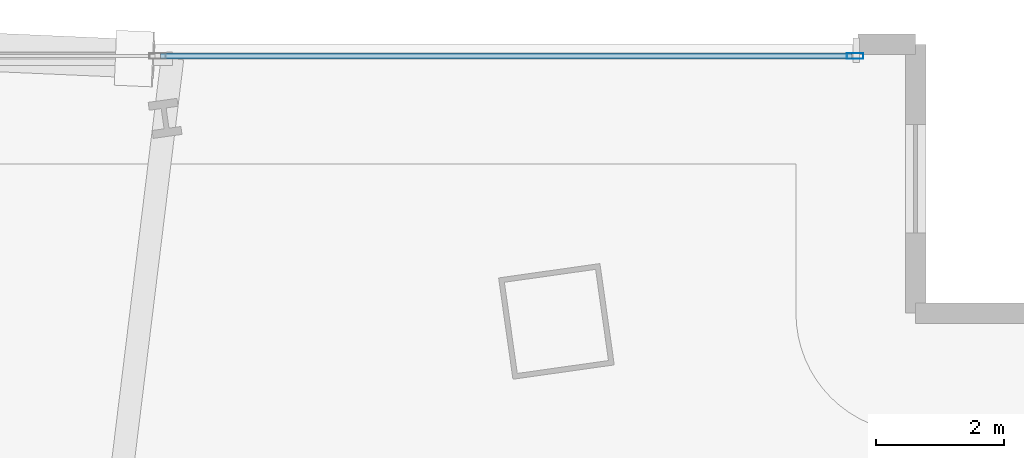
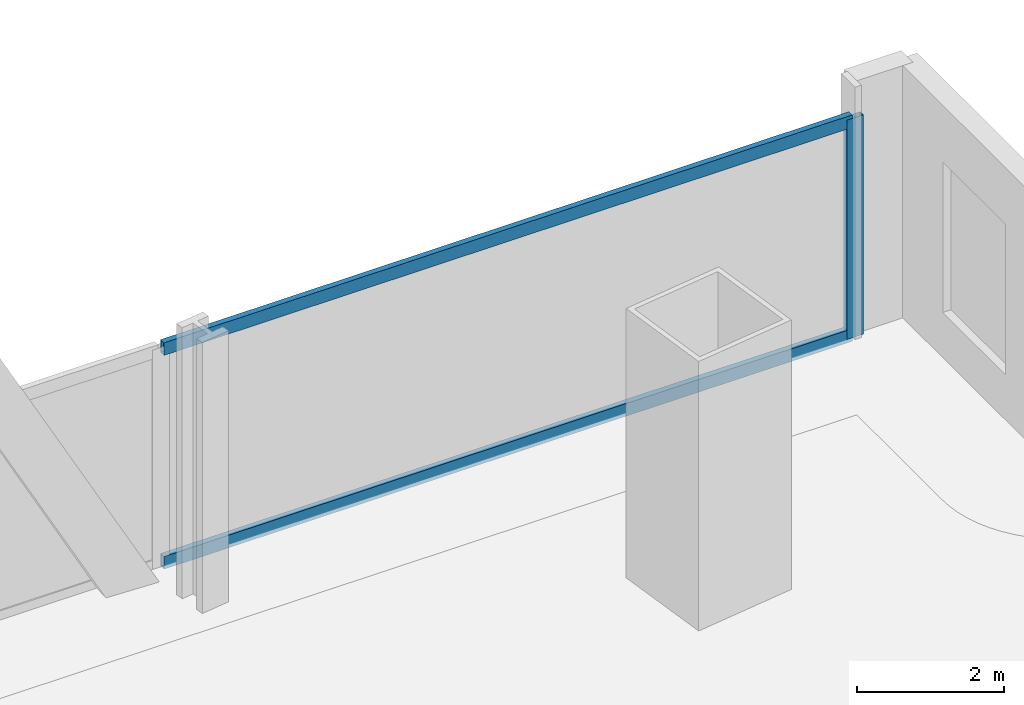
# One storey, part 18 of 29: 3 members, 1 element without a shape of its own.
"""IFC4 building model written with IfcOpenShell, lengths in metres."""

from ifc_helpers import new_model, si_unit, direction, frame, origin, origin_2d, place, context, subcontext, project, spatial, hollow_rectangle, extrude, material, material_profile, profile_set, type_object, element, aggregate, save


model = new_model("IFC4")

# Units and contexts
model_context = context("Model", 3, precision=1e-05, world=origin(), true_north=direction((0.0, 1.0)))
body_context = subcontext(model_context, "Body", "Model", "MODEL_VIEW")
ifc_project = project(units=[si_unit("LENGTHUNIT", "METRE"), si_unit("AREAUNIT", "SQUARE_METRE"), si_unit("VOLUMEUNIT", "CUBIC_METRE"), si_unit("PLANEANGLEUNIT", "RADIAN"), si_unit("MASSUNIT", "GRAM", prefix="KILO")], contexts=[model_context])

# Site, building, storey
site_placement = place(None, origin())
site = spatial("IfcSite", under=ifc_project, at=site_placement, CompositionType="ELEMENT")
building_placement = place(site_placement, origin())
building = spatial("IfcBuilding", under=site, at=building_placement, Name="Haldenkirk Collegiate Tower", CompositionType="ELEMENT")
storey_placement = place(building_placement, frame((0.0, 0.0, 28.199951171875)))
storey = spatial("IfcBuildingStorey", under=building, at=storey_placement, Name="L05", CompositionType="ELEMENT", Elevation=28.199951171875)

# Curtain wall, members
ifc_material = material(Name="Anodised architectural bronze aluminium", Category="aluminium")
curtain_wall_type = type_object("IfcCurtainWallType", Name="CW-SYS4-SKYGARDEN", PredefinedType="USERDEFINED", material=ifc_material)
curtain_wall_placement = place(storey_placement, origin())
curtain_wall = element("IfcCurtainWall", 1, at=curtain_wall_placement, inside=storey, type_object=curtain_wall_type, Name="L05 Sky-garden tall bronze curtain wall", ObjectType="UNITISED CURTAIN WALL", PredefinedType="USERDEFINED")
ifc_material_profile_1 = material_profile(ifc_material, hollow_rectangle(XDim=0.090087890625, YDim=0.260009765625, WallThickness=0.0048828125, at=origin_2d()), Name="CW-MUL-04")
ifc_profile_set_1 = profile_set([ifc_material_profile_1], Name="Anodised architectural bronze aluminium")
member_type_1 = type_object("IfcMemberType", Name="CW-MUL-04", PredefinedType="MULLION", material=ifc_profile_set_1)
member_1_placement = place(storey_placement, frame((57.85498046875, 51.820068359375, 0.0), z_axis=(0.0, 0.0, 1.0), x_axis=(0.0, 1.0, 0.0)))
member_1 = element("IfcMember", 2, at=member_1_placement, type_object=member_type_1, Name="CW-04 mullion 5", PredefinedType="MULLION", context=body_context, shape_type="SweptSolid", body=[
    extrude(hollow_rectangle(XDim=0.090087890625, YDim=0.260009765625, WallThickness=0.0048828125, at=origin_2d()), origin(), (0.0, 0.0, 1.0), 3.64111328125),
])
ifc_material_profile_2 = material_profile(ifc_material, hollow_rectangle(XDim=0.090087890625, YDim=0.2099609375, WallThickness=0.0048828125, at=origin_2d()), Name="CW-TRN-04")
ifc_profile_set_2 = profile_set([ifc_material_profile_2], Name="Anodised architectural bronze aluminium")
member_type_2 = type_object("IfcMemberType", Name="CW-TRN-04", PredefinedType="USERDEFINED", material=ifc_profile_set_2)
member_2_placement = place(storey_placement, frame((46.9951171875, 51.820068359375, 0.045166015625), z_axis=(1.0, 0.0, 0.0), x_axis=(0.0, 1.0, 0.0)))
member_2 = element("IfcMember", 3, at=member_2_placement, type_object=member_type_2, Name="CW-04 transom 4.1", ObjectType="TRANSOM", PredefinedType="USERDEFINED", context=body_context, shape_type="SweptSolid", body=[
    extrude(hollow_rectangle(XDim=0.090087890625, YDim=0.2099609375, WallThickness=0.0048828125, at=origin_2d()), origin(), (0.0, 0.0, 1.0), 10.81494140625),
])
member_3_placement = place(storey_placement, frame((46.9951171875, 51.820068359375, 3.595947265625), z_axis=(1.0, 0.0, 0.0), x_axis=(0.0, 1.0, 0.0)))
member_3 = element("IfcMember", 4, at=member_3_placement, type_object=member_type_2, Name="CW-04 transom 4.2", ObjectType="TRANSOM", PredefinedType="USERDEFINED", context=body_context, shape_type="SweptSolid", body=[
    extrude(hollow_rectangle(XDim=0.090087890625, YDim=0.2099609375, WallThickness=0.0048828125, at=origin_2d()), origin(), (0.0, 0.0, 1.0), 10.81494140625),
])
aggregate(curtain_wall, [member_1, member_2, member_3])

save(model, "model.ifc")
